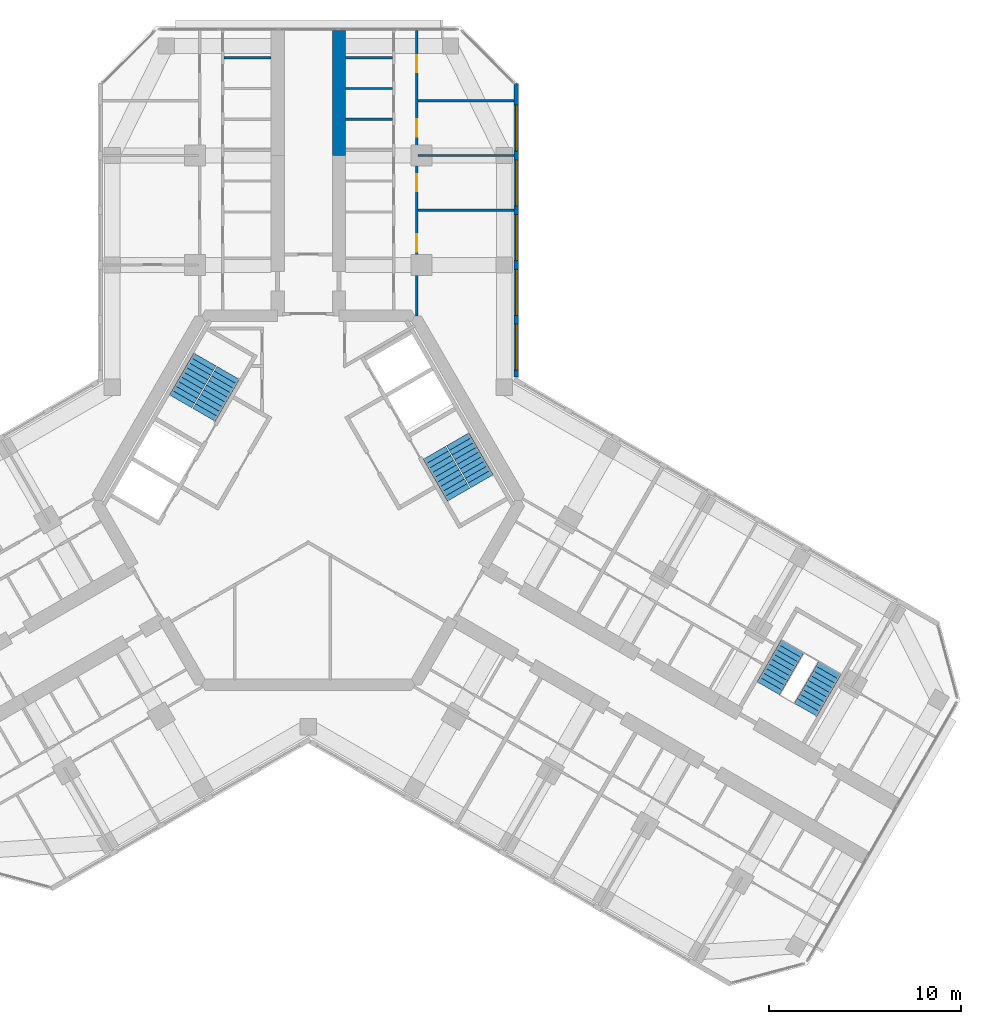
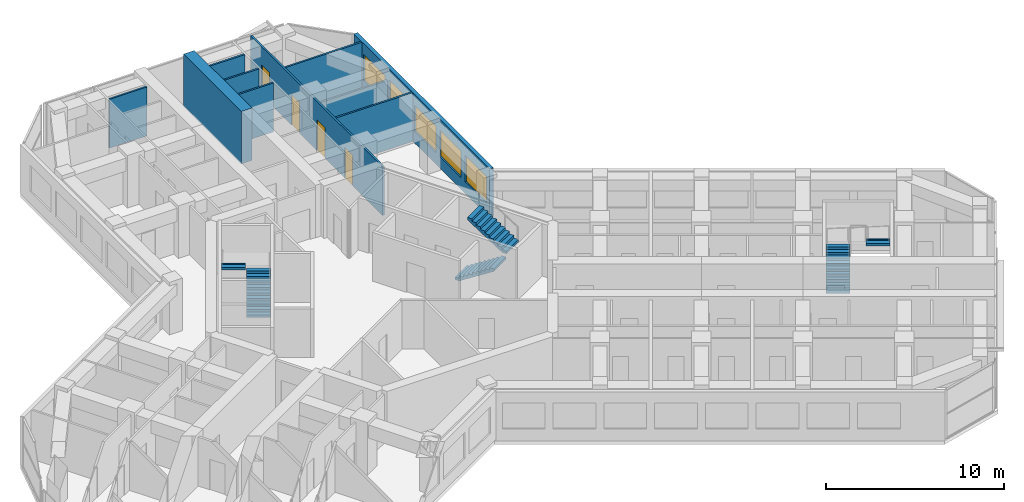
# One storey, part 15 of 16: 10 walls, 6 stair flights, 5 windows, 4 doors, 9 openings, 3 elements without a shape of their own.
"""IFC4 building model written with IfcOpenShell, lengths in metres."""

from ifc_helpers import new_model, si_unit, direction, frame, frame_2d, origin, place, context, subcontext, project, spatial, polyline, rectangle, outline, extrude, material, layer, layer_set, type_object, element, fill, aggregate, save


model = new_model("IFC4")

# Units and contexts
model_context = context("Model", 3, precision=1e-05, world=origin(), true_north=direction((0.0, 1.0)))
body_context = subcontext(model_context, "Body", "Model", "MODEL_VIEW")
ifc_project = project(units=[si_unit("LENGTHUNIT", "METRE"), si_unit("AREAUNIT", "SQUARE_METRE"), si_unit("VOLUMEUNIT", "CUBIC_METRE"), si_unit("PLANEANGLEUNIT", "RADIAN"), si_unit("MASSUNIT", "GRAM", prefix="KILO")], contexts=[model_context])

# Site, building, storey
site_placement = place(None, origin())
site = spatial("IfcSite", under=ifc_project, at=site_placement, CompositionType="ELEMENT")
building_placement = place(site_placement, origin())
building = spatial("IfcBuilding", under=site, at=building_placement, Name="Kosmar Iwan School Tower", CompositionType="ELEMENT")
storey_placement = place(building_placement, frame((0.0, 0.0, 249.60009765625)))
storey = spatial("IfcBuildingStorey", under=building, at=storey_placement, Name="L63", CompositionType="ELEMENT", Elevation=249.60009765625)

# Walls
ifc_material_1 = material(Name="Concrete C50/60", Category="concrete")
ifc_layer_1 = layer(ifc_material_1, 0.699951171875)
ifc_layer_set_1 = layer_set([ifc_layer_1], Name="Corridor buttress wall 700")
wall_type_1 = type_object("IfcWallType", Name="Corridor buttress wall 700", PredefinedType="SHEAR", material=ifc_layer_set_1)
wall_1_placement = place(storey_placement, frame((1.60009765625, 17.949951171875, 0.0), z_axis=(0.0, 0.0, 1.0), x_axis=(0.0, 1.0, 0.0)))
element("IfcWall", 1, at=wall_1_placement, inside=storey, type_object=wall_type_1, Name="Corridor wall AR bay 2", PredefinedType="SHEAR", context=body_context, shape_type="SweptSolid", body=[
    extrude(rectangle(XDim=6.4951171875, YDim=0.699951171875, at=frame_2d((3.24755859375, 0.0))), origin(), (0.0, 0.0, 1.0), 3.599853515625),
])
ifc_material_2 = material(Name="Gypsum board on steel studs", Category="steel")
ifc_layer_2 = layer(ifc_material_2, 0.1201171875)
ifc_layer_set_2 = layer_set([ifc_layer_2], Name="Dwelling partition 120")
wall_type_2 = type_object("IfcWallType", Name="Dwelling partition 120", PredefinedType="PARTITIONING", material=ifc_layer_set_2)
wall_2_placement = place(storey_placement, frame((-1.949951171875, 23.043212890625, 0.0), z_axis=(0.0, 0.0, 1.0), x_axis=(-1.0, 0.0, 0.0)))
element("IfcWall", 2, at=wall_2_placement, inside=storey, type_object=wall_type_2, Name="Partition L63-AL1-Y7", PredefinedType="PARTITIONING", context=body_context, shape_type="SweptSolid", body=[
    extrude(rectangle(XDim=2.43994140625, YDim=0.1201171875, at=frame_2d((1.219970703125, 0.0))), origin(), (0.0, 0.0, 1.0), 3.349853515625),
])

# Wall, openings, doors
wall_3_placement = place(storey_placement, frame((5.64990234375, 9.60009765625, 0.0), z_axis=(0.0, 0.0, 1.0), x_axis=(0.0, 1.0, 0.0)))
wall_3 = element("IfcWall", 3, at=wall_3_placement, inside=storey, type_object=wall_type_2, Name="Partition L63-AR1-W2", PredefinedType="PARTITIONING", context=body_context, shape_type="SweptSolid", body=[
    extrude(rectangle(XDim=14.844970703125, YDim=0.1201171875, at=frame_2d((7.42236328125, 0.0))), origin(), (0.0, 0.0, 1.0), 3.349853515625),
])
opening_1_placement = place(wall_3_placement, frame((3.35009765625, 0.0, 0.0)))
opening_1 = element("IfcOpeningElement", 4, at=opening_1_placement, cuts=wall_3, Name="Opening D2", PredefinedType="OPENING", context=body_context, shape_type="SweptSolid", body=[
    extrude(rectangle(XDim=0.89990234375, YDim=2.10009765625, at=frame_2d((0.449951171875, 1.050048828125))), frame((0.0, 0.072021484375, 0.0), z_axis=(0.0, -1.0, 0.0), x_axis=(1.0, 0.0, 0.0)), (0.0, 0.0, 1.0), 0.14404296875),
])
opening_2_placement = place(wall_3_placement, frame((6.47509765625, 0.0, 0.0)))
opening_2 = element("IfcOpeningElement", 5, at=opening_2_placement, cuts=wall_3, Name="Opening D2", PredefinedType="OPENING", context=body_context, shape_type="SweptSolid", body=[
    extrude(rectangle(XDim=0.89990234375, YDim=2.10009765625, at=frame_2d((0.449951171875, 1.050048828125))), frame((0.0, 0.072021484375, 0.0), z_axis=(0.0, -1.0, 0.0), x_axis=(1.0, 0.0, 0.0)), (0.0, 0.0, 1.0), 0.14404296875),
])
opening_3_placement = place(wall_3_placement, frame((9.324951171875, 0.0, 0.0)))
opening_3 = element("IfcOpeningElement", 6, at=opening_3_placement, cuts=wall_3, Name="Opening D2", PredefinedType="OPENING", context=body_context, shape_type="SweptSolid", body=[
    extrude(rectangle(XDim=0.89990234375, YDim=2.10009765625, at=frame_2d((0.449951171875, 1.050048828125))), frame((0.0, 0.072021484375, 0.0), z_axis=(0.0, -1.0, 0.0), x_axis=(1.0, 0.0, 0.0)), (0.0, 0.0, 1.0), 0.14404296875),
])
opening_4_placement = place(wall_3_placement, frame((12.675048828125, 0.0, 0.0)))
opening_4 = element("IfcOpeningElement", 7, at=opening_4_placement, cuts=wall_3, Name="Opening D2", PredefinedType="OPENING", context=body_context, shape_type="SweptSolid", body=[
    extrude(rectangle(XDim=0.89990234375, YDim=2.10009765625, at=frame_2d((0.449951171875, 1.050048828125))), frame((0.0, 0.072021484375, 0.0), z_axis=(0.0, -1.0, 0.0), x_axis=(1.0, 0.0, 0.0)), (0.0, 0.0, 1.0), 0.14404296875),
])
ifc_material_3 = material(Name="Timber door in timber frame", Category="wood")
door_type = type_object("IfcDoorType", Name="Internal door 900x2100", OperationType="SINGLE_SWING_LEFT", PredefinedType="DOOR", material=ifc_material_3)
door_1_placement = place(opening_1_placement, origin())
door_1 = element("IfcDoor", 8, at=door_1_placement, inside=storey, type_object=door_type, Name="Living room and kitchen door L63-AR1-F1", OperationType="SINGLE_SWING_LEFT", OverallHeight=2.10009765625, OverallWidth=0.89990234375, PredefinedType="DOOR", context=body_context, shape_type="SweptSolid", body=[
    extrude(rectangle(XDim=0.89990234375, YDim=2.10009765625, at=frame_2d((0.449951171875, 1.050048828125))), frame((0.0, 0.02490234375, 0.0), z_axis=(0.0, -1.0, 0.0), x_axis=(1.0, 0.0, 0.0)), (0.0, 0.0, 1.0), 0.050048828125),
])
fill(opening_1, door_1)
door_2_placement = place(opening_2_placement, origin())
door_2 = element("IfcDoor", 9, at=door_2_placement, inside=storey, type_object=door_type, Name="Grandparents' suite door L63-AR1-F2", OperationType="SINGLE_SWING_LEFT", OverallHeight=2.10009765625, OverallWidth=0.89990234375, PredefinedType="DOOR", context=body_context, shape_type="SweptSolid", body=[
    extrude(rectangle(XDim=0.89990234375, YDim=2.10009765625, at=frame_2d((0.449951171875, 1.050048828125))), frame((0.0, 0.02490234375, 0.0), z_axis=(0.0, -1.0, 0.0), x_axis=(1.0, 0.0, 0.0)), (0.0, 0.0, 1.0), 0.050048828125),
])
fill(opening_2, door_2)
door_3_placement = place(opening_3_placement, origin())
door_3 = element("IfcDoor", 10, at=door_3_placement, inside=storey, type_object=door_type, Name="Bedroom 1 door L63-AR1-F3", OperationType="SINGLE_SWING_RIGHT", OverallHeight=2.10009765625, OverallWidth=0.89990234375, PredefinedType="DOOR", context=body_context, shape_type="SweptSolid", body=[
    extrude(rectangle(XDim=0.89990234375, YDim=2.10009765625, at=frame_2d((0.449951171875, 1.050048828125))), frame((0.0, 0.02490234375, 0.0), z_axis=(0.0, -1.0, 0.0), x_axis=(1.0, 0.0, 0.0)), (0.0, 0.0, 1.0), 0.050048828125),
])
fill(opening_3, door_3)
door_4_placement = place(opening_4_placement, origin())
door_4 = element("IfcDoor", 11, at=door_4_placement, inside=storey, type_object=door_type, Name="Bedroom 2 door L63-AR1-F4", OperationType="SINGLE_SWING_RIGHT", OverallHeight=2.10009765625, OverallWidth=0.89990234375, PredefinedType="DOOR", context=body_context, shape_type="SweptSolid", body=[
    extrude(rectangle(XDim=0.89990234375, YDim=2.10009765625, at=frame_2d((0.449951171875, 1.050048828125))), frame((0.0, 0.02490234375, 0.0), z_axis=(0.0, -1.0, 0.0), x_axis=(1.0, 0.0, 0.0)), (0.0, 0.0, 1.0), 0.050048828125),
])
fill(opening_4, door_4)

# Walls
wall_4_placement = place(storey_placement, frame((5.7099609375, 15.10009765625, 0.0), z_axis=(0.0, 0.0, 1.0), x_axis=(1.0, 0.0, 0.0)))
element("IfcWall", 12, at=wall_4_placement, inside=storey, type_object=wall_type_2, Name="Partition L63-AR1-X1", PredefinedType="PARTITIONING", context=body_context, shape_type="SweptSolid", body=[
    extrude(rectangle(XDim=4.989990234375, YDim=0.1201171875, at=frame_2d((2.4951171875, 0.0))), origin(), (0.0, 0.0, 1.0), 3.349853515625),
])
wall_5_placement = place(storey_placement, frame((5.7099609375, 17.949951171875, 0.0), z_axis=(0.0, 0.0, 1.0), x_axis=(1.0, 0.0, 0.0)))
element("IfcWall", 13, at=wall_5_placement, inside=storey, type_object=wall_type_2, Name="Partition L63-AR1-X2", PredefinedType="PARTITIONING", context=body_context, shape_type="SweptSolid", body=[
    extrude(rectangle(XDim=4.989990234375, YDim=0.1201171875, at=frame_2d((2.4951171875, 0.0))), origin(), (0.0, 0.0, 1.0), 2.449951171875),
])
wall_6_placement = place(storey_placement, frame((5.7099609375, 20.800048828125, 0.0), z_axis=(0.0, 0.0, 1.0), x_axis=(1.0, 0.0, 0.0)))
element("IfcWall", 14, at=wall_6_placement, inside=storey, type_object=wall_type_2, Name="Partition L63-AR1-X3", PredefinedType="PARTITIONING", context=body_context, shape_type="SweptSolid", body=[
    extrude(rectangle(XDim=4.989990234375, YDim=0.1201171875, at=frame_2d((2.4951171875, 0.0))), origin(), (0.0, 0.0, 1.0), 3.349853515625),
])
for number, where, z_axis, x_axis, name in (
    (15, (1.949951171875, 19.830078125, 0.0), (0.0, 0.0, 1.0), (1.0, 0.0, 0.0), "Partition L63-AR1-Y5"),
    (16, (1.949951171875, 21.436767578125, 0.0), (0.0, 0.0, 1.0), (1.0, 0.0, 0.0), "Partition L63-AR1-Y6"),
    (17, (1.949951171875, 23.043212890625, 0.0), (0.0, 0.0, 1.0), (1.0, 0.0, 0.0), "Partition L63-AR1-Y7"),
):
    element("IfcWall", number, at=place(storey_placement, frame(where, z_axis=z_axis, x_axis=x_axis)), inside=storey, type_object=wall_type_2, Name=name, PredefinedType="PARTITIONING", context=body_context, shape_type="SweptSolid", body=[
        extrude(rectangle(XDim=2.43994140625, YDim=0.1201171875, at=frame_2d((1.219970703125, 0.0))), origin(), (0.0, 0.0, 1.0), 3.349853515625),
    ])

# Wall, openings, windows
ifc_material_4 = material(Name="Black aluminium rainscreen on insulated framing", Category="aluminium")
ifc_layer_3 = layer(ifc_material_4, 0.25)
ifc_layer_set_3 = layer_set([ifc_layer_3], Name="External wall rainscreen 250")
wall_type_3 = type_object("IfcWallType", Name="External wall rainscreen 250", PredefinedType="SOLIDWALL", material=ifc_layer_set_3)
wall_7_placement = place(storey_placement, frame((10.824951171875, 6.408935546875, 0.0), z_axis=(0.0, 0.0, 1.0), x_axis=(0.0, 1.0, 0.0)))
wall_7 = element("IfcWall", 18, at=wall_7_placement, inside=storey, type_object=wall_type_3, Name="External wall AR L63", PredefinedType="SOLIDWALL", context=body_context, shape_type="SweptSolid", body=[
    extrude(rectangle(XDim=15.2763671875, YDim=0.25, at=frame_2d((7.63818359375, 0.0))), origin(), (0.0, 0.0, 1.0), 3.349853515625),
])
opening_5_placement = place(wall_7_placement, frame((0.365966796875, 0.0, 0.800048828125)))
opening_5 = element("IfcOpeningElement", 19, at=opening_5_placement, cuts=wall_7, Name="Opening W5", PredefinedType="OPENING", context=body_context, shape_type="SweptSolid", body=[
    extrude(rectangle(XDim=2.39990234375, YDim=1.800048828125, at=frame_2d((1.199951171875, 0.89990234375))), frame((0.0, 0.136962890625, 0.0), z_axis=(0.0, -1.0, 0.0), x_axis=(1.0, 0.0, 0.0)), (0.0, 0.0, 1.0), 0.27392578125),
])
opening_6_placement = place(wall_7_placement, frame((3.216064453125, 0.0, 0.800048828125)))
opening_6 = element("IfcOpeningElement", 20, at=opening_6_placement, cuts=wall_7, Name="Opening W5", PredefinedType="OPENING", context=body_context, shape_type="SweptSolid", body=[
    extrude(rectangle(XDim=2.39990234375, YDim=1.800048828125, at=frame_2d((1.199951171875, 0.89990234375))), frame((0.0, 0.136962890625, 0.0), z_axis=(0.0, -1.0, 0.0), x_axis=(1.0, 0.0, 0.0)), (0.0, 0.0, 1.0), 0.27392578125),
])
opening_7_placement = place(wall_7_placement, frame((6.06591796875, 0.0, 0.800048828125)))
opening_7 = element("IfcOpeningElement", 21, at=opening_7_placement, cuts=wall_7, Name="Opening W5", PredefinedType="OPENING", context=body_context, shape_type="SweptSolid", body=[
    extrude(rectangle(XDim=2.39990234375, YDim=1.800048828125, at=frame_2d((1.199951171875, 0.89990234375))), frame((0.0, 0.136962890625, 0.0), z_axis=(0.0, -1.0, 0.0), x_axis=(1.0, 0.0, 0.0)), (0.0, 0.0, 1.0), 0.27392578125),
])
opening_8_placement = place(wall_7_placement, frame((8.916015625, 0.0, 0.800048828125)))
opening_8 = element("IfcOpeningElement", 22, at=opening_8_placement, cuts=wall_7, Name="Opening W5", PredefinedType="OPENING", context=body_context, shape_type="SweptSolid", body=[
    extrude(rectangle(XDim=2.39990234375, YDim=1.800048828125, at=frame_2d((1.199951171875, 0.89990234375))), frame((0.0, 0.136962890625, 0.0), z_axis=(0.0, -1.0, 0.0), x_axis=(1.0, 0.0, 0.0)), (0.0, 0.0, 1.0), 0.27392578125),
])
opening_9_placement = place(wall_7_placement, frame((11.76611328125, 0.0, 0.800048828125)))
opening_9 = element("IfcOpeningElement", 23, at=opening_9_placement, cuts=wall_7, Name="Opening W5", PredefinedType="OPENING", context=body_context, shape_type="SweptSolid", body=[
    extrude(rectangle(XDim=2.39990234375, YDim=1.800048828125, at=frame_2d((1.199951171875, 0.89990234375))), frame((0.0, 0.136962890625, 0.0), z_axis=(0.0, -1.0, 0.0), x_axis=(1.0, 0.0, 0.0)), (0.0, 0.0, 1.0), 0.27392578125),
])
ifc_material_5 = material(Name="Black aluminium frame with dark triple glazing", Category="aluminium")
window_type = type_object("IfcWindowType", Name="Window 2400x1800", PartitioningType="SINGLE_PANEL", PredefinedType="WINDOW", material=ifc_material_5)
window_1_placement = place(opening_5_placement, origin())
window_1 = element("IfcWindow", 24, at=window_1_placement, inside=storey, type_object=window_type, Name="Window AR L63 -1", OverallHeight=1.800048828125, OverallWidth=2.39990234375, PartitioningType="SINGLE_PANEL", PredefinedType="WINDOW", context=body_context, shape_type="SweptSolid", body=[
    extrude(rectangle(XDim=2.39990234375, YDim=1.800048828125, at=frame_2d((1.199951171875, 0.89990234375))), frame((0.0, 0.030029296875, 0.0), z_axis=(0.0, -1.0, 0.0), x_axis=(1.0, 0.0, 0.0)), (0.0, 0.0, 1.0), 0.06005859375),
])
fill(opening_5, window_1)
window_2_placement = place(opening_6_placement, origin())
window_2 = element("IfcWindow", 25, at=window_2_placement, inside=storey, type_object=window_type, Name="Window AR L63 0", OverallHeight=1.800048828125, OverallWidth=2.39990234375, PartitioningType="SINGLE_PANEL", PredefinedType="WINDOW", context=body_context, shape_type="SweptSolid", body=[
    extrude(rectangle(XDim=2.39990234375, YDim=1.800048828125, at=frame_2d((1.199951171875, 0.89990234375))), frame((0.0, 0.030029296875, 0.0), z_axis=(0.0, -1.0, 0.0), x_axis=(1.0, 0.0, 0.0)), (0.0, 0.0, 1.0), 0.06005859375),
])
fill(opening_6, window_2)
window_3_placement = place(opening_7_placement, origin())
window_3 = element("IfcWindow", 26, at=window_3_placement, inside=storey, type_object=window_type, Name="Window AR L63 1", OverallHeight=1.800048828125, OverallWidth=2.39990234375, PartitioningType="SINGLE_PANEL", PredefinedType="WINDOW", context=body_context, shape_type="SweptSolid", body=[
    extrude(rectangle(XDim=2.39990234375, YDim=1.800048828125, at=frame_2d((1.199951171875, 0.89990234375))), frame((0.0, 0.030029296875, 0.0), z_axis=(0.0, -1.0, 0.0), x_axis=(1.0, 0.0, 0.0)), (0.0, 0.0, 1.0), 0.06005859375),
])
fill(opening_7, window_3)
window_4_placement = place(opening_8_placement, origin())
window_4 = element("IfcWindow", 27, at=window_4_placement, inside=storey, type_object=window_type, Name="Window AR L63 2", OverallHeight=1.800048828125, OverallWidth=2.39990234375, PartitioningType="SINGLE_PANEL", PredefinedType="WINDOW", context=body_context, shape_type="SweptSolid", body=[
    extrude(rectangle(XDim=2.39990234375, YDim=1.800048828125, at=frame_2d((1.199951171875, 0.89990234375))), frame((0.0, 0.030029296875, 0.0), z_axis=(0.0, -1.0, 0.0), x_axis=(1.0, 0.0, 0.0)), (0.0, 0.0, 1.0), 0.06005859375),
])
fill(opening_8, window_4)
window_5_placement = place(opening_9_placement, origin())
window_5 = element("IfcWindow", 28, at=window_5_placement, inside=storey, type_object=window_type, Name="Window AR L63 3", OverallHeight=1.800048828125, OverallWidth=2.39990234375, PartitioningType="SINGLE_PANEL", PredefinedType="WINDOW", context=body_context, shape_type="SweptSolid", body=[
    extrude(rectangle(XDim=2.39990234375, YDim=1.800048828125, at=frame_2d((1.199951171875, 0.89990234375))), frame((0.0, 0.030029296875, 0.0), z_axis=(0.0, -1.0, 0.0), x_axis=(1.0, 0.0, 0.0)), (0.0, 0.0, 1.0), 0.06005859375),
])
fill(opening_9, window_5)

# Stair, stair flights
ifc_material_6 = material(Name="Concrete C35/45", Category="concrete")
stair_type_1 = type_object("IfcStairType", Name="Escape stair 3600", PredefinedType="HALF_TURN_STAIR", material=ifc_material_6)
stair_1_placement = place(storey_placement, origin())
stair_1 = element("IfcStair", 29, at=stair_1_placement, inside=storey, type_object=stair_type_1, Name="Stair WS3 L63", PredefinedType="HALF_TURN_STAIR")
ifc_material_7 = material(Name="Concrete C35/45", Category="concrete")
stair_flight_type_1 = type_object("IfcStairFlightType", Name="Escape stair flight 1350", PredefinedType="STRAIGHT", material=ifc_material_7)
stair_flight_1_placement = place(storey_placement, frame((23.94189453125, -9.781494140625, 0.0), z_axis=(0.0, 0.0, 1.0), x_axis=(0.5, 0.866025403784, 0.0)))
stair_flight_1 = element("IfcStairFlight", 30, at=stair_flight_1_placement, type_object=stair_flight_type_1, Name="WS3 flight 1", NumberOfRisers=10, NumberOfTreads=9, PredefinedType="STRAIGHT", RiserHeight=0.18, TreadLength=0.28, context=body_context, shape_type="SweptSolid", body=[
    extrude(outline(polyline([(0.0, 0.0), (0.0, 0.179931640625), (0.280029296875, 0.179931640625), (0.280029296875, 0.360107421875), (0.56005859375, 0.360107421875), (0.56005859375, 0.5400390625), (0.840087890625, 0.5400390625), (0.840087890625, 0.719970703125), (1.1201171875, 0.719970703125), (1.1201171875, 0.89990234375), (1.39990234375, 0.89990234375), (1.39990234375, 1.080078125), (1.679931640625, 1.080078125), (1.679931640625, 1.260009765625), (1.9599609375, 1.260009765625), (1.9599609375, 1.43994140625), (2.239990234375, 1.43994140625), (2.239990234375, 1.6201171875), (2.52001953125, 1.6201171875), (2.52001953125, 1.800048828125), (2.52001953125, 1.44189453125), (0.277099609375, 0.0), (0.0, 0.0)])), frame((0.0, 0.675048828125, 0.0), z_axis=(0.0, -1.0, 0.0), x_axis=(1.0, 0.0, 0.0)), (0.0, 0.0, 1.0), 1.35009765625),
])
stair_flight_2_placement = place(storey_placement, frame((27.150390625, -8.72412109375, 1.7998046875), z_axis=(0.0, 0.0, 1.0), x_axis=(-0.5, -0.866025403784, 0.0)))
stair_flight_2 = element("IfcStairFlight", 31, at=stair_flight_2_placement, type_object=stair_flight_type_1, Name="WS3 flight 2", NumberOfRisers=10, NumberOfTreads=9, PredefinedType="STRAIGHT", RiserHeight=0.18, TreadLength=0.28, context=body_context, shape_type="SweptSolid", body=[
    extrude(outline(polyline([(0.0, 0.0), (0.0, 0.179931640625), (0.280029296875, 0.179931640625), (0.280029296875, 0.360107421875), (0.56005859375, 0.360107421875), (0.56005859375, 0.5400390625), (0.840087890625, 0.5400390625), (0.840087890625, 0.719970703125), (1.1201171875, 0.719970703125), (1.1201171875, 0.89990234375), (1.39990234375, 0.89990234375), (1.39990234375, 1.080078125), (1.679931640625, 1.080078125), (1.679931640625, 1.260009765625), (1.9599609375, 1.260009765625), (1.9599609375, 1.43994140625), (2.239990234375, 1.43994140625), (2.239990234375, 1.6201171875), (2.52001953125, 1.6201171875), (2.52001953125, 1.800048828125), (2.52001953125, 1.44189453125), (0.277099609375, 0.0), (0.0, 0.0)])), frame((0.0, 0.675048828125, 0.0), z_axis=(0.0, -1.0, 0.0), x_axis=(1.0, 0.0, 0.0)), (0.0, 0.0, 1.0), 1.35009765625),
])
aggregate(stair_1, [stair_flight_1, stair_flight_2])

ifc_material_8 = material(Name="Concrete C35/45", Category="concrete")
stair_type_2 = type_object("IfcStairType", Name="Core stair 2750", PredefinedType="HALF_TURN_STAIR", material=ifc_material_8)
stair_2_placement = place(storey_placement, origin())
stair_2 = element("IfcStair", 32, at=stair_2_placement, inside=storey, type_object=stair_type_2, Name="Stair ST2 L63", PredefinedType="HALF_TURN_STAIR")
ifc_material_9 = material(Name="Concrete C35/45", Category="concrete")
stair_flight_type_2 = type_object("IfcStairFlightType", Name="Stair flight 1350", PredefinedType="STRAIGHT", material=ifc_material_9)
stair_flight_3_placement = place(storey_placement, frame((-5.42724609375, 4.44970703125, 0.0), z_axis=(0.0, 0.0, 1.0), x_axis=(0.5, 0.866025403784, 0.0)))
stair_flight_3 = element("IfcStairFlight", 33, at=stair_flight_3_placement, type_object=stair_flight_type_2, Name="ST2 flight 1", NumberOfRisers=10, NumberOfTreads=9, PredefinedType="STRAIGHT", RiserHeight=0.18, TreadLength=0.28, context=body_context, shape_type="SweptSolid", body=[
    extrude(outline(polyline([(0.0, 0.0), (0.0, 0.179931640625), (0.280029296875, 0.179931640625), (0.280029296875, 0.360107421875), (0.56005859375, 0.360107421875), (0.56005859375, 0.5400390625), (0.840087890625, 0.5400390625), (0.840087890625, 0.719970703125), (1.1201171875, 0.719970703125), (1.1201171875, 0.89990234375), (1.39990234375, 0.89990234375), (1.39990234375, 1.080078125), (1.679931640625, 1.080078125), (1.679931640625, 1.260009765625), (1.9599609375, 1.260009765625), (1.9599609375, 1.43994140625), (2.239990234375, 1.43994140625), (2.239990234375, 1.6201171875), (2.52001953125, 1.6201171875), (2.52001953125, 1.800048828125), (2.52001953125, 1.44189453125), (0.277099609375, 0.0), (0.0, 0.0)])), frame((0.0, 0.675048828125, 0.0), z_axis=(0.0, -1.0, 0.0), x_axis=(1.0, 0.0, 0.0)), (0.0, 0.0, 1.0), 1.35009765625),
])
stair_flight_4_placement = place(storey_placement, frame((-5.379638671875, 7.33203125, 1.7998046875), z_axis=(0.0, 0.0, 1.0), x_axis=(-0.5, -0.866025403784, 0.0)))
stair_flight_4 = element("IfcStairFlight", 34, at=stair_flight_4_placement, type_object=stair_flight_type_2, Name="ST2 flight 2", NumberOfRisers=10, NumberOfTreads=9, PredefinedType="STRAIGHT", RiserHeight=0.18, TreadLength=0.28, context=body_context, shape_type="SweptSolid", body=[
    extrude(outline(polyline([(0.0, 0.0), (0.0, 0.179931640625), (0.280029296875, 0.179931640625), (0.280029296875, 0.360107421875), (0.56005859375, 0.360107421875), (0.56005859375, 0.5400390625), (0.840087890625, 0.5400390625), (0.840087890625, 0.719970703125), (1.1201171875, 0.719970703125), (1.1201171875, 0.89990234375), (1.39990234375, 0.89990234375), (1.39990234375, 1.080078125), (1.679931640625, 1.080078125), (1.679931640625, 1.260009765625), (1.9599609375, 1.260009765625), (1.9599609375, 1.43994140625), (2.239990234375, 1.43994140625), (2.239990234375, 1.6201171875), (2.52001953125, 1.6201171875), (2.52001953125, 1.800048828125), (2.52001953125, 1.44189453125), (0.277099609375, 0.0), (0.0, 0.0)])), frame((0.0, 0.675048828125, 0.0), z_axis=(0.0, -1.0, 0.0), x_axis=(1.0, 0.0, 0.0)), (0.0, 0.0, 1.0), 1.35009765625),
])
aggregate(stair_2, [stair_flight_3, stair_flight_4])

stair_3_placement = place(storey_placement, origin())
stair_3 = element("IfcStair", 35, at=stair_3_placement, inside=storey, type_object=stair_type_2, Name="Stair ST1 L63", PredefinedType="HALF_TURN_STAIR")
stair_flight_5_placement = place(storey_placement, frame((6.567138671875, 2.475341796875, 0.0), z_axis=(0.0, 0.0, 1.0), x_axis=(0.5, -0.866025403784, 0.0)))
stair_flight_5 = element("IfcStairFlight", 36, at=stair_flight_5_placement, type_object=stair_flight_type_2, Name="ST1 flight 1", NumberOfRisers=10, NumberOfTreads=9, PredefinedType="STRAIGHT", RiserHeight=0.18, TreadLength=0.28, context=body_context, shape_type="SweptSolid", body=[
    extrude(outline(polyline([(0.0, 0.0), (0.0, 0.179931640625), (0.280029296875, 0.179931640625), (0.280029296875, 0.360107421875), (0.56005859375, 0.360107421875), (0.56005859375, 0.5400390625), (0.840087890625, 0.5400390625), (0.840087890625, 0.719970703125), (1.1201171875, 0.719970703125), (1.1201171875, 0.89990234375), (1.39990234375, 0.89990234375), (1.39990234375, 1.080078125), (1.679931640625, 1.080078125), (1.679931640625, 1.260009765625), (1.9599609375, 1.260009765625), (1.9599609375, 1.43994140625), (2.239990234375, 1.43994140625), (2.239990234375, 1.6201171875), (2.52001953125, 1.6201171875), (2.52001953125, 1.800048828125), (2.52001953125, 1.44189453125), (0.277099609375, 0.0), (0.0, 0.0)])), frame((0.0, 0.675048828125, 0.0), z_axis=(0.0, -1.0, 0.0), x_axis=(1.0, 0.0, 0.0)), (0.0, 0.0, 1.0), 1.35009765625),
])
stair_flight_6_placement = place(storey_placement, frame((9.03955078125, 0.992919921875, 1.7998046875), z_axis=(0.0, 0.0, 1.0), x_axis=(-0.5, 0.866025403784, 0.0)))
stair_flight_6 = element("IfcStairFlight", 37, at=stair_flight_6_placement, type_object=stair_flight_type_2, Name="ST1 flight 2", NumberOfRisers=10, NumberOfTreads=9, PredefinedType="STRAIGHT", RiserHeight=0.18, TreadLength=0.28, context=body_context, shape_type="SweptSolid", body=[
    extrude(outline(polyline([(0.0, 0.0), (0.0, 0.179931640625), (0.280029296875, 0.179931640625), (0.280029296875, 0.360107421875), (0.56005859375, 0.360107421875), (0.56005859375, 0.5400390625), (0.840087890625, 0.5400390625), (0.840087890625, 0.719970703125), (1.1201171875, 0.719970703125), (1.1201171875, 0.89990234375), (1.39990234375, 0.89990234375), (1.39990234375, 1.080078125), (1.679931640625, 1.080078125), (1.679931640625, 1.260009765625), (1.9599609375, 1.260009765625), (1.9599609375, 1.43994140625), (2.239990234375, 1.43994140625), (2.239990234375, 1.6201171875), (2.52001953125, 1.6201171875), (2.52001953125, 1.800048828125), (2.52001953125, 1.44189453125), (0.277099609375, 0.0), (0.0, 0.0)])), frame((0.0, 0.675048828125, 0.0), z_axis=(0.0, -1.0, 0.0), x_axis=(1.0, 0.0, 0.0)), (0.0, 0.0, 1.0), 1.35009765625),
])
aggregate(stair_3, [stair_flight_5, stair_flight_6])

save(model, "model.ifc")
